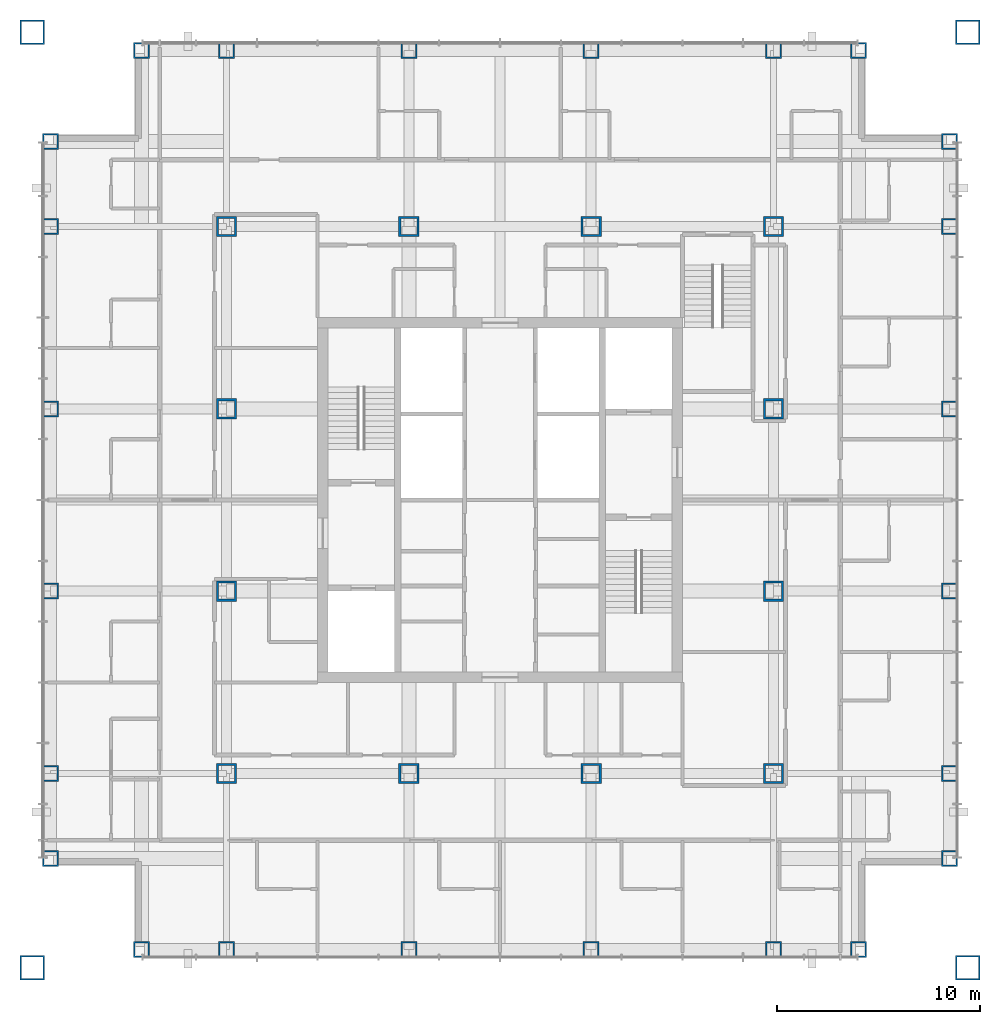
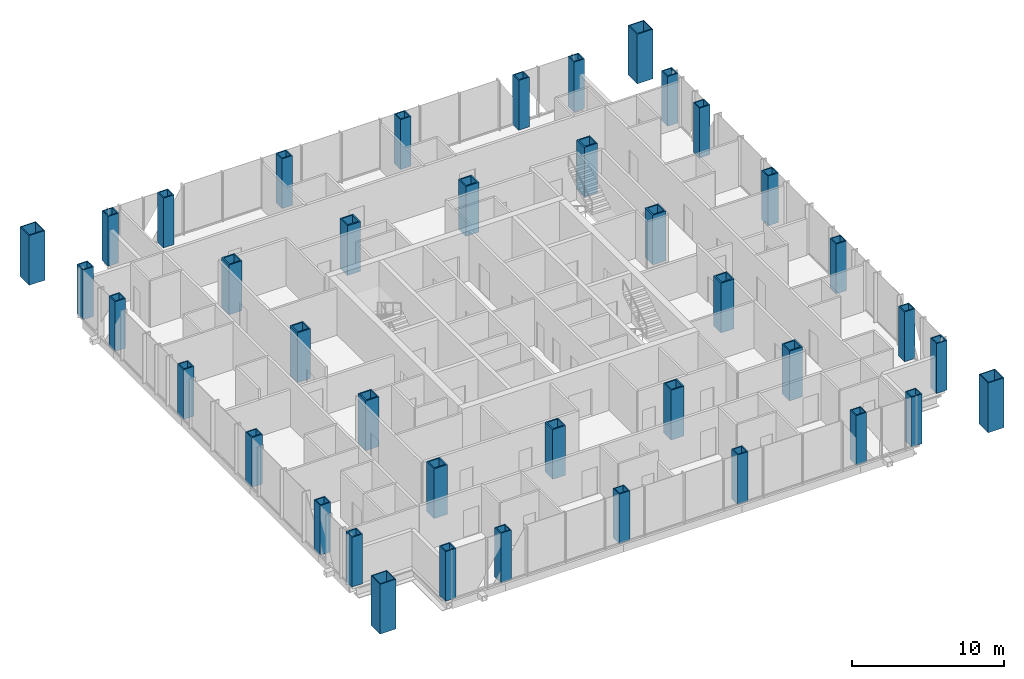
# One storey, part 1 of 12: 40 columns.
"""IFC4 building model written with IfcOpenShell, lengths in metres."""

from ifc_helpers import new_model, si_unit, direction, frame, origin, origin_2d, place, context, subcontext, project, spatial, hollow_rectangle, extrude, material, material_profile, profile_set, type_object, element, save


model = new_model("IFC4")

# Units and contexts
model_context = context("Model", 3, precision=1e-05, world=origin(), true_north=direction((0.0, 1.0)))
body_context = subcontext(model_context, "Body", "Model", "MODEL_VIEW")
ifc_project = project(units=[si_unit("LENGTHUNIT", "METRE"), si_unit("AREAUNIT", "SQUARE_METRE"), si_unit("VOLUMEUNIT", "CUBIC_METRE"), si_unit("PLANEANGLEUNIT", "RADIAN"), si_unit("MASSUNIT", "GRAM", prefix="KILO")], contexts=[model_context])

# Site, building, storey
site_placement = place(None, origin())
site = spatial("IfcSite", under=ifc_project, at=site_placement, CompositionType="ELEMENT")
building_placement = place(site_placement, origin())
building = spatial("IfcBuilding", under=site, at=building_placement, Name="Malebo Sky Hospital", CompositionType="ELEMENT")
storey_placement = place(building_placement, frame((0.0, 0.0, 221.0)))
storey = spatial("IfcBuildingStorey", under=building, at=storey_placement, Name="L53", CompositionType="ELEMENT", Elevation=221.0)

# Columns
ifc_material = material(Name="Steel S460", Category="steel")
ifc_material_profile_1 = material_profile(ifc_material, hollow_rectangle(XDim=1.0, YDim=1.0, WallThickness=0.10009765625, at=origin_2d()), Name="BOX 1000x1000x100")
ifc_profile_set_1 = profile_set([ifc_material_profile_1], Name="Steel S460")
column_type_1 = type_object("IfcColumnType", Name="INNER COLUMN BOX 1000x1000x100", PredefinedType="COLUMN", material=ifc_profile_set_1)
for number, where, z_axis, x_axis, name in (
    (1, (46.5, 48.5, 0.0), (0.0, 0.0, 1.0), (1.0, 0.0, 0.0), "Column IC9 L53"),
    (2, (73.5, 48.5, 0.0), (0.0, 0.0, 1.0), (1.0, 0.0, 0.0), "Column IC9 L53"),
    (3, (73.5, 75.5, 0.0), (0.0, 0.0, 1.0), (1.0, 0.0, 0.0), "Column IC9 L53"),
    (4, (46.5, 75.5, 0.0), (0.0, 0.0, 1.0), (1.0, 0.0, 0.0), "Column IC9 L53"),
    (5, (55.5, 48.5, 0.0), (0.0, 0.0, 1.0), (1.0, 0.0, 0.0), "Column IC9 L53"),
    (6, (64.5, 48.5, 0.0), (0.0, 0.0, 1.0), (1.0, 0.0, 0.0), "Column IC9 L53"),
    (7, (55.5, 75.5, 0.0), (0.0, 0.0, 1.0), (1.0, 0.0, 0.0), "Column IC9 L53"),
    (8, (64.5, 75.5, 0.0), (0.0, 0.0, 1.0), (1.0, 0.0, 0.0), "Column IC9 L53"),
    (9, (46.5, 57.5, 0.0), (0.0, 0.0, 1.0), (1.0, 0.0, 0.0), "Column IC9 L53"),
    (10, (46.5, 66.5, 0.0), (0.0, 0.0, 1.0), (1.0, 0.0, 0.0), "Column IC9 L53"),
    (11, (73.5, 57.5, 0.0), (0.0, 0.0, 1.0), (1.0, 0.0, 0.0), "Column IC9 L53"),
    (12, (73.5, 66.5, 0.0), (0.0, 0.0, 1.0), (1.0, 0.0, 0.0), "Column IC9 L53"),
):
    element("IfcColumn", number, at=place(storey_placement, frame(where, z_axis=z_axis, x_axis=x_axis)), inside=storey, type_object=column_type_1, Name=name, PredefinedType="COLUMN", context=body_context, shape_type="SweptSolid", body=[
        extrude(hollow_rectangle(XDim=1.0, YDim=1.0, WallThickness=0.10009765625, at=origin_2d()), origin(), (0.0, 0.0, 1.0), 4.0),
    ])
ifc_material_profile_2 = material_profile(ifc_material, hollow_rectangle(XDim=1.199951171875, YDim=1.199951171875, WallThickness=0.070068359375, at=origin_2d()), Name="BOX 1200x1200x70")
ifc_profile_set_2 = profile_set([ifc_material_profile_2], Name="Steel S460")
column_type_2 = type_object("IfcColumnType", Name="MEGA COLUMN BOX 1200x1200x70", PredefinedType="COLUMN", material=ifc_profile_set_2)
for number, where, z_axis, x_axis, name in (
    (13, (36.89990234375, 38.89990234375, 0.0), (0.0, 0.0, 1.0), (1.0, 0.0, 0.0), "Mega column SW L53"),
    (14, (83.10009765625, 38.89990234375, 0.0), (0.0, 0.0, 1.0), (1.0, 0.0, 0.0), "Mega column SE L53"),
    (15, (83.10009765625, 85.10009765625, 0.0), (0.0, 0.0, 1.0), (1.0, 0.0, 0.0), "Mega column NE L53"),
    (16, (36.89990234375, 85.10009765625, 0.0), (0.0, 0.0, 1.0), (1.0, 0.0, 0.0), "Mega column NW L53"),
):
    element("IfcColumn", number, at=place(storey_placement, frame(where, z_axis=z_axis, x_axis=x_axis)), inside=storey, type_object=column_type_2, Name=name, PredefinedType="COLUMN", context=body_context, shape_type="SweptSolid", body=[
        extrude(hollow_rectangle(XDim=1.199951171875, YDim=1.199951171875, WallThickness=0.070068359375, at=origin_2d()), origin(), (0.0, 0.0, 1.0), 4.0),
    ])
ifc_material_profile_3 = material_profile(ifc_material, hollow_rectangle(XDim=0.800048828125, YDim=0.800048828125, WallThickness=0.080078125, at=origin_2d()), Name="BOX 800x800x80")
ifc_profile_set_3 = profile_set([ifc_material_profile_3], Name="Steel S460")
column_type_3 = type_object("IfcColumnType", Name="PERIMETER COLUMN BOX 800x800x80", PredefinedType="COLUMN", material=ifc_profile_set_3)
for number, where, z_axis, x_axis, name in (
    (17, (42.300048828125, 39.800048828125, 0.0), (0.0, 0.0, 1.0), (1.0, 0.0, 0.0), "Column PC7 L53"),
    (18, (42.300048828125, 84.199951171875, 0.0), (0.0, 0.0, 1.0), (1.0, 0.0, 0.0), "Column PC7 L53"),
    (19, (37.800048828125, 44.300048828125, 0.0), (0.0, 0.0, 1.0), (1.0, 0.0, 0.0), "Column PC7 L53"),
    (20, (82.199951171875, 44.300048828125, 0.0), (0.0, 0.0, 1.0), (1.0, 0.0, 0.0), "Column PC7 L53"),
    (21, (46.5, 39.800048828125, 0.0), (0.0, 0.0, 1.0), (1.0, 0.0, 0.0), "Column PC7 L53"),
    (22, (46.5, 84.199951171875, 0.0), (0.0, 0.0, 1.0), (1.0, 0.0, 0.0), "Column PC7 L53"),
    (23, (37.800048828125, 48.5, 0.0), (0.0, 0.0, 1.0), (1.0, 0.0, 0.0), "Column PC7 L53"),
    (24, (82.199951171875, 48.5, 0.0), (0.0, 0.0, 1.0), (1.0, 0.0, 0.0), "Column PC7 L53"),
    (25, (55.5, 39.800048828125, 0.0), (0.0, 0.0, 1.0), (1.0, 0.0, 0.0), "Column PC7 L53"),
    (26, (55.5, 84.199951171875, 0.0), (0.0, 0.0, 1.0), (1.0, 0.0, 0.0), "Column PC7 L53"),
    (27, (37.800048828125, 57.5, 0.0), (0.0, 0.0, 1.0), (1.0, 0.0, 0.0), "Column PC7 L53"),
    (28, (82.199951171875, 57.5, 0.0), (0.0, 0.0, 1.0), (1.0, 0.0, 0.0), "Column PC7 L53"),
    (29, (64.5, 39.800048828125, 0.0), (0.0, 0.0, 1.0), (1.0, 0.0, 0.0), "Column PC7 L53"),
    (30, (64.5, 84.199951171875, 0.0), (0.0, 0.0, 1.0), (1.0, 0.0, 0.0), "Column PC7 L53"),
    (31, (37.800048828125, 66.5, 0.0), (0.0, 0.0, 1.0), (1.0, 0.0, 0.0), "Column PC7 L53"),
    (32, (82.199951171875, 66.5, 0.0), (0.0, 0.0, 1.0), (1.0, 0.0, 0.0), "Column PC7 L53"),
    (33, (73.5, 39.800048828125, 0.0), (0.0, 0.0, 1.0), (1.0, 0.0, 0.0), "Column PC7 L53"),
    (34, (73.5, 84.199951171875, 0.0), (0.0, 0.0, 1.0), (1.0, 0.0, 0.0), "Column PC7 L53"),
    (35, (37.800048828125, 75.5, 0.0), (0.0, 0.0, 1.0), (1.0, 0.0, 0.0), "Column PC7 L53"),
    (36, (82.199951171875, 75.5, 0.0), (0.0, 0.0, 1.0), (1.0, 0.0, 0.0), "Column PC7 L53"),
    (37, (77.699951171875, 39.800048828125, 0.0), (0.0, 0.0, 1.0), (1.0, 0.0, 0.0), "Column PC7 L53"),
    (38, (77.699951171875, 84.199951171875, 0.0), (0.0, 0.0, 1.0), (1.0, 0.0, 0.0), "Column PC7 L53"),
    (39, (37.800048828125, 79.699951171875, 0.0), (0.0, 0.0, 1.0), (1.0, 0.0, 0.0), "Column PC7 L53"),
    (40, (82.199951171875, 79.699951171875, 0.0), (0.0, 0.0, 1.0), (1.0, 0.0, 0.0), "Column PC7 L53"),
):
    element("IfcColumn", number, at=place(storey_placement, frame(where, z_axis=z_axis, x_axis=x_axis)), inside=storey, type_object=column_type_3, Name=name, PredefinedType="COLUMN", context=body_context, shape_type="SweptSolid", body=[
        extrude(hollow_rectangle(XDim=0.800048828125, YDim=0.800048828125, WallThickness=0.080078125, at=origin_2d()), origin(), (0.0, 0.0, 1.0), 4.0),
    ])

save(model, "model.ifc")
